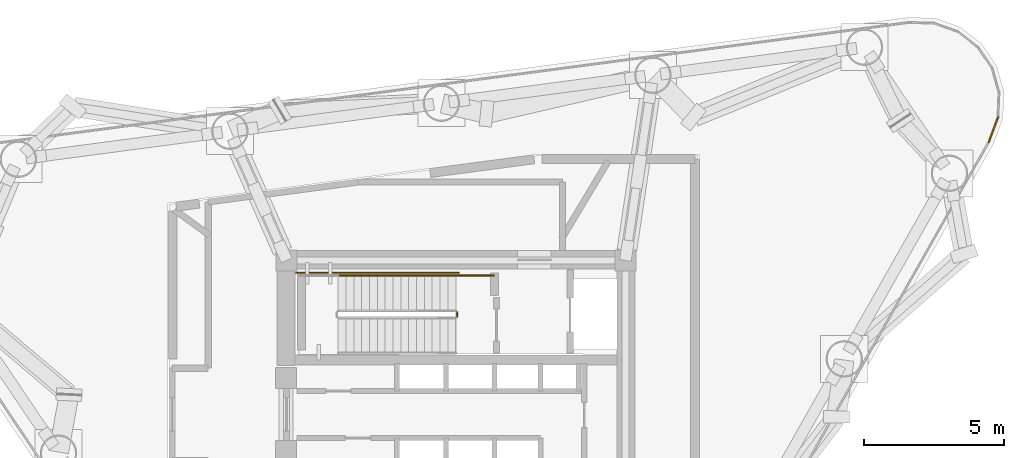
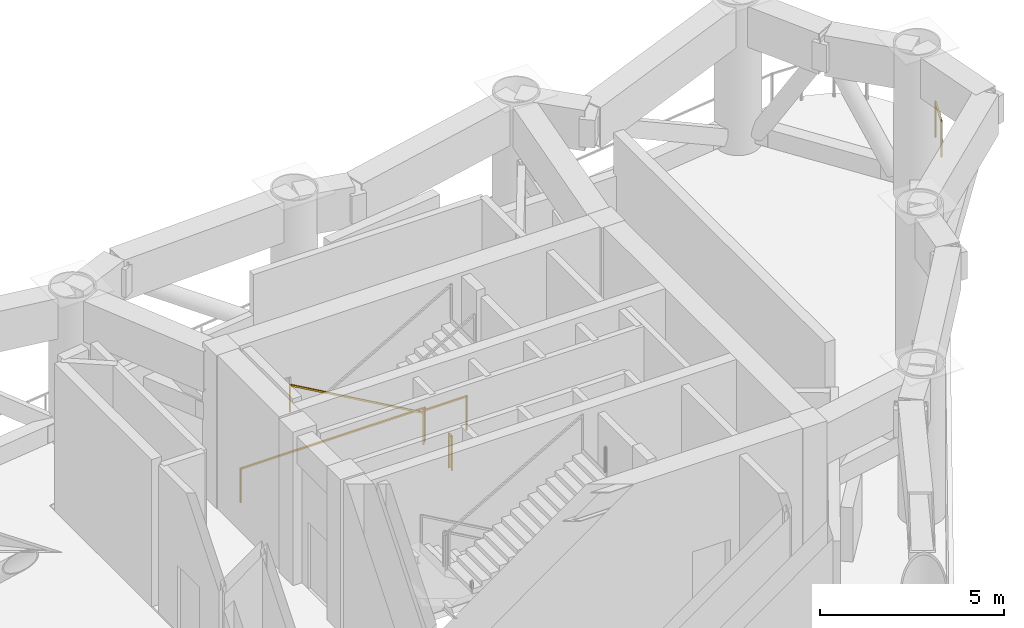
# One storey, part 9 of 10: 5 railings.
"""IFC4 building model written with IfcOpenShell, lengths in metres."""

from ifc_helpers import new_model, si_unit, direction, frame, origin, origin_2d, place, context, subcontext, project, spatial, rectangle, extrude, material, type_object, element, save


model = new_model("IFC4")

# Units and contexts
model_context = context("Model", 3, precision=1e-05, world=origin(), true_north=direction((0.0, 1.0)))
body_context = subcontext(model_context, "Body", "Model", "MODEL_VIEW")
ifc_project = project(units=[si_unit("LENGTHUNIT", "METRE"), si_unit("AREAUNIT", "SQUARE_METRE"), si_unit("VOLUMEUNIT", "CUBIC_METRE"), si_unit("PLANEANGLEUNIT", "RADIAN"), si_unit("MASSUNIT", "GRAM", prefix="KILO")], contexts=[model_context])

# Site, building, storey
site_placement = place(None, origin())
site = spatial("IfcSite", under=ifc_project, at=site_placement, CompositionType="ELEMENT")
building_placement = place(site_placement, origin())
building = spatial("IfcBuilding", under=site, at=building_placement, Name="Yunling Apex Tower", CompositionType="ELEMENT")
storey_placement = place(building_placement, frame((0.0, 0.0, 186.35009765625)))
storey = spatial("IfcBuildingStorey", under=building, at=storey_placement, Name="RF5", CompositionType="ELEMENT", Elevation=186.35009765625)

# Railings
ifc_material_1 = material(Name="Bronze anodised aluminium", Category="aluminium")
railing_type_1 = type_object("IfcRailingType", Name="RL-BAL-1200", PredefinedType="BALUSTRADE", material=ifc_material_1)
railing_1_placement = place(storey_placement, frame((19.35986328125, 10.614990234375, 0.0)))
element("IfcRailing", 1, at=railing_1_placement, inside=storey, type_object=railing_type_1, Name="RL-REF-RF5-16", PredefinedType="BALUSTRADE", context=body_context, shape_type="SweptSolid", body=[
    extrude(rectangle(XDim=0.0439453125, YDim=0.0439453125, at=origin_2d()), origin(), (0.0, 0.0, 1.0), 1.199951171875),
    extrude(rectangle(XDim=0.0439453125, YDim=0.0439453125, at=origin_2d()), frame((-0.330810546875, -0.88623046875, 0.0)), (0.0, 0.0, 1.0), 1.199951171875),
    extrude(rectangle(XDim=0.050048828125, YDim=0.050048828125, at=origin_2d()), frame((-0.013427734375, -0.035888671875, 1.1748046875), z_axis=(-0.349708861815, -0.936858426854, 0.0), x_axis=(0.936858426854, -0.349708861815, 0.0)), (0.0, 0.0, 1.0), 0.869384765625),
])
ifc_material_2 = material(Name="Steel Q355B", Category="steel")
railing_type_2 = type_object("IfcRailingType", Name="RL-GRD-1150", PredefinedType="GUARDRAIL", material=ifc_material_2)
railing_2_placement = place(storey_placement, frame((0.0400390625, 3.64990234375, 0.0)))
element("IfcRailing", 2, at=railing_2_placement, inside=storey, type_object=railing_type_2, Name="RF5 ST-1 stair guard 5", PredefinedType="GUARDRAIL", context=body_context, shape_type="SweptSolid", body=[
    extrude(rectangle(XDim=0.0439453125, YDim=0.0439453125, at=origin_2d()), origin(), (0.0, 0.0, 1.0), 1.14990234375),
    extrude(rectangle(XDim=0.0439453125, YDim=0.0439453125, at=origin_2d()), frame((0.0, -0.14990234375, 0.0)), (0.0, 0.0, 1.0), 1.14990234375),
    extrude(rectangle(XDim=0.050048828125, YDim=0.050048828125, at=origin_2d()), frame((0.0, -0.038330078125, 1.125), z_axis=(0.0, -1.0, 0.0), x_axis=(1.0, 0.0, 0.0)), (0.0, 0.0, 1.0), 0.0732421875),
])
railing_3_placement = place(storey_placement, frame((1.35009765625, 4.9599609375, 0.0)))
element("IfcRailing", 3, at=railing_3_placement, inside=storey, type_object=railing_type_2, Name="RF5 ST-1 stair guard 6", PredefinedType="GUARDRAIL", context=body_context, shape_type="SweptSolid", body=[
    extrude(rectangle(XDim=0.0439453125, YDim=0.0439453125, at=origin_2d()), origin(), (0.0, 0.0, 1.0), 1.14990234375),
    extrude(rectangle(XDim=0.0439453125, YDim=0.0439453125, at=origin_2d()), frame((-1.360107421875, 0.0, 0.0)), (0.0, 0.0, 1.0), 1.14990234375),
    extrude(rectangle(XDim=0.050048828125, YDim=0.050048828125, at=origin_2d()), frame((-0.038330078125, 0.0, 1.125), z_axis=(-1.0, 0.0, 0.0), x_axis=(0.0, -1.0, 0.0)), (0.0, 0.0, 1.0), 1.283447265625),
])
railing_4_placement = place(storey_placement, frame((0.090087890625, 5.06005859375, 0.0)))
element("IfcRailing", 4, at=railing_4_placement, inside=storey, type_object=railing_type_2, Name="RF5 ST-1 stair guard 7", PredefinedType="GUARDRAIL", context=body_context, shape_type="SweptSolid", body=[
    extrude(rectangle(XDim=0.0439453125, YDim=0.0439453125, at=origin_2d()), origin(), (0.0, 0.0, 1.0), 1.14990234375),
    extrude(rectangle(XDim=0.0439453125, YDim=0.0439453125, at=origin_2d()), frame((-5.7900390625, 0.0, 0.0)), (0.0, 0.0, 1.0), 1.14990234375),
    extrude(rectangle(XDim=0.050048828125, YDim=0.050048828125, at=origin_2d()), frame((-0.038330078125, 0.0, 1.125), z_axis=(-1.0, 0.0, 0.0), x_axis=(0.0, -1.0, 0.0)), (0.0, 0.0, 1.0), 5.71337890625),
])
ifc_material_3 = material(Name="Silver anodised aluminium", Category="aluminium")
railing_type_3 = type_object("IfcRailingType", Name="RL-HND-900", PredefinedType="HANDRAIL", material=ifc_material_3)
railing_5_placement = place(storey_placement, frame((-0.010009765625, 4.9599609375, 0.1591796875)))
element("IfcRailing", 5, at=railing_5_placement, inside=storey, type_object=railing_type_3, Name="RF5 ST-1 stair handrail 1", PredefinedType="HANDRAIL", context=body_context, shape_type="SweptSolid", body=[
    extrude(rectangle(XDim=0.0439453125, YDim=0.0439453125, at=origin_2d()), origin(), (0.0, 0.0, 1.0), 0.919921875),
    extrude(rectangle(XDim=0.0439453125, YDim=0.0439453125, at=origin_2d()), frame((-4.199951171875, 0.0, 2.390625)), (0.0, 0.0, 1.0), 0.919921875),
    extrude(rectangle(XDim=0.050048828125, YDim=0.050048828125, at=origin_2d()), frame((-0.033203125, 0.0, 0.913818359375), z_axis=(-0.869075089623, 0.0, 0.494680188199), x_axis=(0.0, -1.0, 0.0)), (0.0, 0.0, 1.0), 4.756103515625),
])

save(model, "model.ifc")
